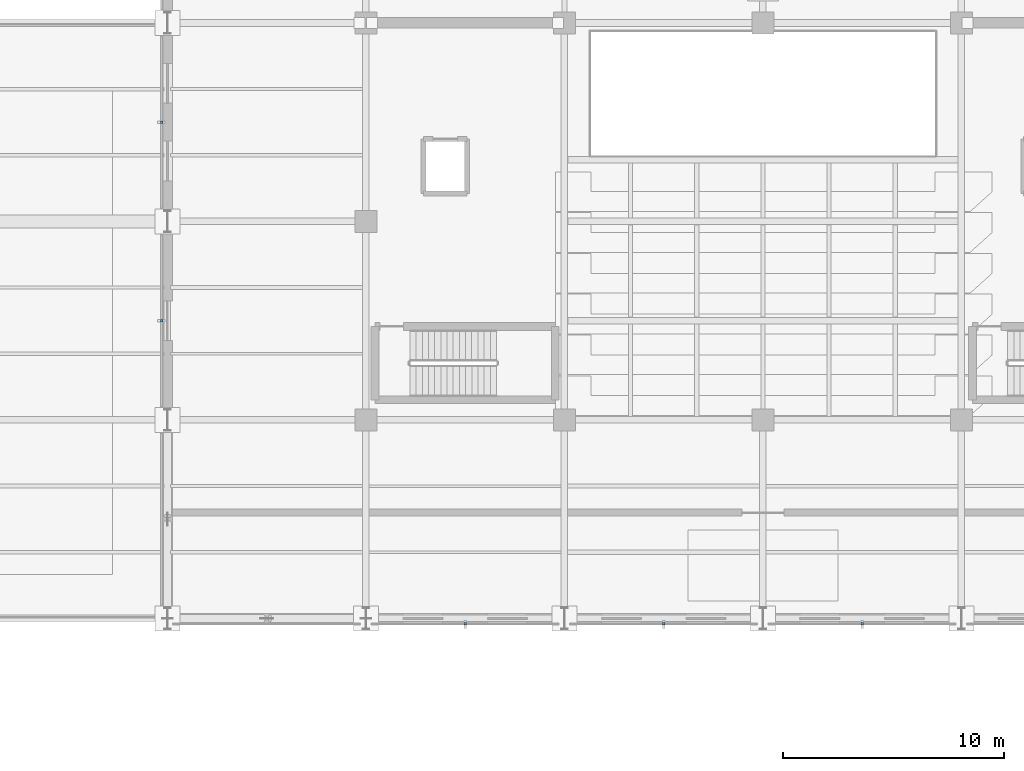
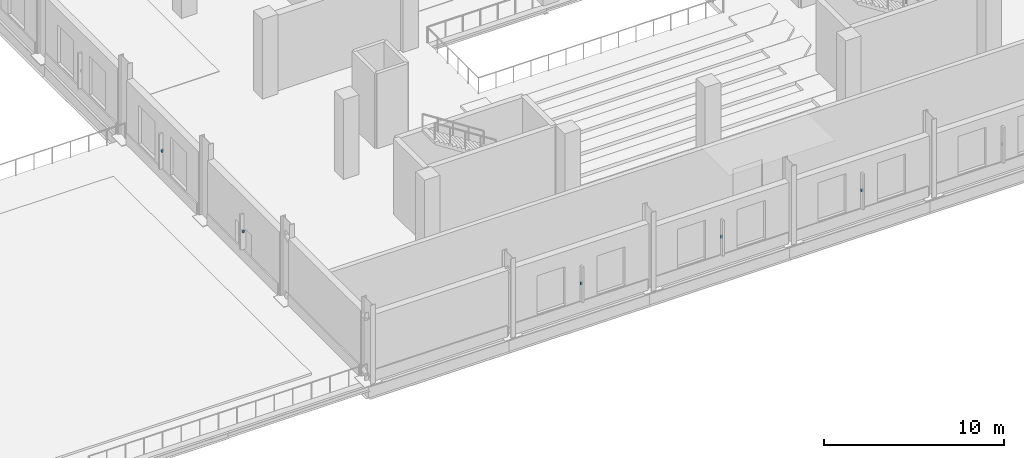
# One storey, part 126 of 141: 5 discrete accessories.
"""IFC4 building model written with IfcOpenShell, lengths in metres."""

from ifc_helpers import new_model, si_unit, direction, frame, origin, origin_2d, place, context, subcontext, project, spatial, rectangle, extrude, material, type_object, element, save


model = new_model("IFC4")

# Units and contexts
model_context = context("Model", 3, precision=1e-05, world=origin(), true_north=direction((0.0, 1.0)))
body_context = subcontext(model_context, "Body", "Model", "MODEL_VIEW")
ifc_project = project(units=[si_unit("LENGTHUNIT", "METRE"), si_unit("AREAUNIT", "SQUARE_METRE"), si_unit("VOLUMEUNIT", "CUBIC_METRE"), si_unit("PLANEANGLEUNIT", "RADIAN"), si_unit("MASSUNIT", "GRAM", prefix="KILO")], contexts=[model_context])

# Site, building, storey
site_placement = place(None, origin())
site = spatial("IfcSite", under=ifc_project, at=site_placement, CompositionType="ELEMENT")
building_placement = place(site_placement, origin())
building = spatial("IfcBuilding", under=site, at=building_placement, Name="Sundgate Opera House", CompositionType="ELEMENT")
storey_placement = place(building_placement, frame((0.0, 0.0, 11.39990234375)))
storey = spatial("IfcBuildingStorey", under=building, at=storey_placement, Name="L02", CompositionType="ELEMENT", Elevation=11.39990234375)

# Discrete accessories
ifc_material = material(Name="Stainless steel EN 1.4404 bracket", Category="steel")
discrete_accessory_type = type_object("IfcDiscreteAccessoryType", Name="AC-BRACKET-SS", PredefinedType="BRACKET", material=ifc_material)
for number, where, z_axis, x_axis, name in (
    (1, (40.5, 32.75, 1.91015625), (0.0, 0.0, 1.0), (1.0, 0.0, 0.0), "L02 Brise-Soleil Anchor Bracket BR0001"),
    (2, (49.5, 32.75, 1.91015625), (0.0, 0.0, 1.0), (1.0, 0.0, 0.0), "L02 Brise-Soleil Anchor Bracket BR0002"),
    (3, (58.5, 32.75, 1.91015625), (0.0, 0.0, 1.0), (1.0, 0.0, 0.0), "L02 Brise-Soleil Anchor Bracket BR0003"),
    (4, (26.75, 46.5, 1.91015625), (0.0, 0.0, 1.0), (1.0, 0.0, 0.0), "L02 Brise-Soleil Anchor Bracket BR0005"),
    (5, (26.75, 55.5, 1.91015625), (0.0, 0.0, 1.0), (1.0, 0.0, 0.0), "L02 Brise-Soleil Anchor Bracket BR0006"),
):
    element("IfcDiscreteAccessory", number, at=place(storey_placement, frame(where, z_axis=z_axis, x_axis=x_axis)), inside=storey, type_object=discrete_accessory_type, Name=name, PredefinedType="BRACKET", context=body_context, shape_type="SweptSolid", body=[
        extrude(rectangle(XDim=0.1201171875, YDim=0.1201171875, at=origin_2d()), origin(), (0.0, 0.0, 1.0), 0.179931640625),
    ])

save(model, "model.ifc")
